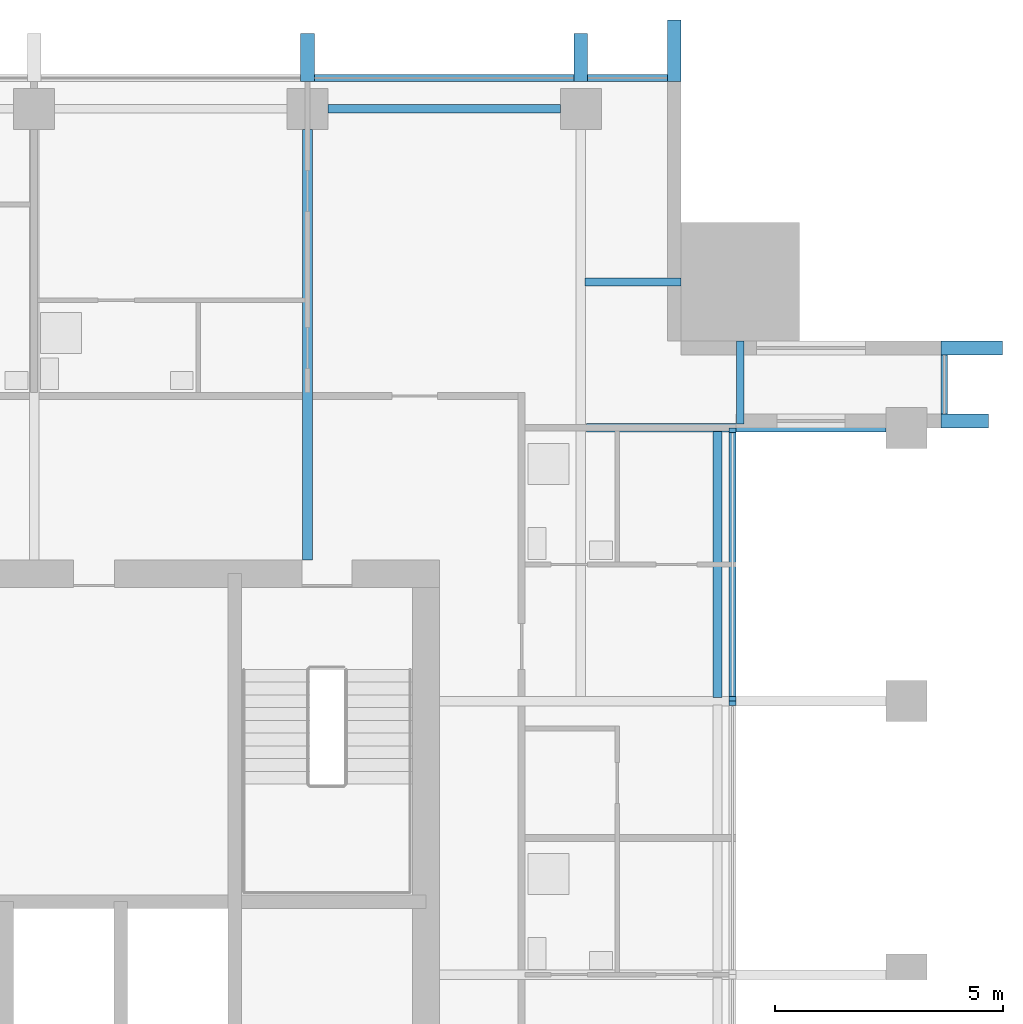
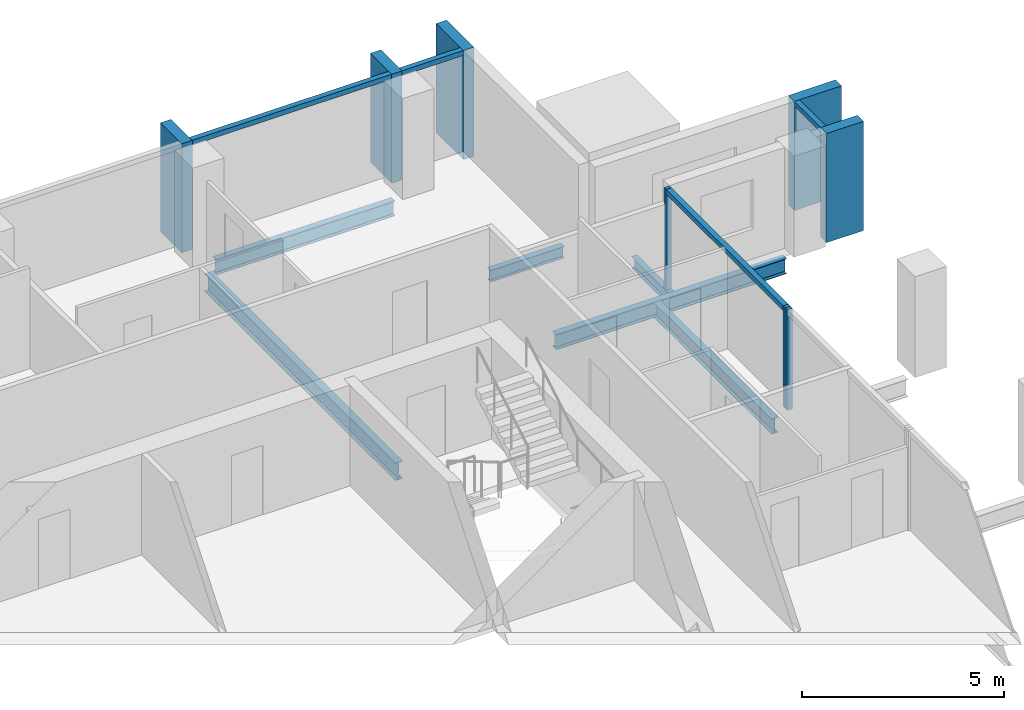
# One storey, part 6 of 14: 12 members, 6 beams, 4 elements without a shape of their own.
"""IFC4 building model written with IfcOpenShell, lengths in metres."""

import ifcopenshell
import ifcopenshell.guid

model = None  # the IFC model being written
_history = None  # IfcOwnerHistory: only IFC2X3 demands one
_inside = {}  # id of a spatial element -> (the spatial element, [elements in it])
_under = {}  # id of a project, library or spatial element -> (it, [spatial elements below it])
_declared = {}  # id of a project -> (the project, [libraries it declares])
_typed = {}  # id of a type object -> (the type object, [elements of that type])
_made_of = {}  # id of a material, layer set ... -> (it, [elements and type objects made of it])


def new_model(schema):
    """Start an empty IFC model of exactly this schema.

    Asked for "IFC4X3", IfcOpenShell would pick the latest addendum, in which some entities
    have other attributes; the version numbers below select the first issue.
    IFC2X3 requires an IfcOwnerHistory on every rooted entity: one is made here for all.
    """
    global model, _history
    if schema == "IFC4X3":
        model = ifcopenshell.file(schema_version=(4, 3, 0, 0))
    else:
        model = ifcopenshell.file(schema=schema)
    _inside.clear()
    _under.clear()
    _declared.clear()
    _typed.clear()
    _made_of.clear()
    _history = None
    if model.schema == "IFC2X3":
        org = make("IfcOrganization", Name="unknown")
        user = make(
            "IfcPersonAndOrganization",
            ThePerson=make("IfcPerson", FamilyName="unknown"),
            TheOrganization=org,
        )
        app = make(
            "IfcApplication",
            ApplicationDeveloper=org,
            Version="unknown",
            ApplicationFullName="unknown",
            ApplicationIdentifier="unknown",
        )
        _history = make(
            "IfcOwnerHistory",
            OwningUser=user,
            OwningApplication=app,
            ChangeAction="ADDED",
            CreationDate=0,
        )
    return model


def make(cls, **values):
    """One entity of the class cls with the attributes given. An attribute that is None is left unset."""
    return model.create_entity(
        cls, **{name: value for name, value in values.items() if value is not None}
    )


def rooted(cls, **values):
    """An entity with a GlobalId (a new one), such as an element, a storey or a relation."""
    return make(cls, GlobalId=ifcopenshell.guid.new(), OwnerHistory=_history, **values)


def si_unit(unit_type, name, prefix=None):
    """IfcSIUnit, for example si_unit("LENGTHUNIT", "METRE", prefix="MILLI")."""
    return make("IfcSIUnit", UnitType=unit_type, Prefix=prefix, Name=name)


def assignment(units):
    """IfcUnitAssignment: the units of a project."""
    return None if units is None else make("IfcUnitAssignment", Units=units)


def point(xyz):
    """IfcCartesianPoint."""
    return None if xyz is None else make("IfcCartesianPoint", Coordinates=xyz)


def direction(xyz):
    """IfcDirection."""
    return None if xyz is None else make("IfcDirection", DirectionRatios=xyz)


def frame(location, z_axis=None, x_axis=None):
    """IfcAxis2Placement3D, a coordinate frame: its origin and axes. An axis left out is left unset."""
    return make(
        "IfcAxis2Placement3D",
        Location=point(location),
        Axis=direction(z_axis),
        RefDirection=direction(x_axis),
    )


def frame_2d(location, x_axis=None):
    """IfcAxis2Placement2D, a coordinate frame in the plane: its origin and x axis."""
    return make(
        "IfcAxis2Placement2D", Location=point(location), RefDirection=direction(x_axis)
    )


def origin():
    """The frame at (0, 0, 0) with its axes left unset."""
    return frame((0.0, 0.0, 0.0))


def origin_2d():
    """The frame at (0, 0) in the plane with its x axis left unset."""
    return frame_2d((0.0, 0.0))


def place(relative_to, where):
    """IfcLocalPlacement: puts the frame where relative to a parent placement (None: the world)."""
    return make(
        "IfcLocalPlacement", PlacementRelTo=relative_to, RelativePlacement=where
    )


def context(
    kind, dimensions, precision=None, world=None, true_north=None, identifier=None
):
    """IfcGeometricRepresentationContext, for example the 3D "Model" context."""
    return make(
        "IfcGeometricRepresentationContext",
        ContextIdentifier=identifier,
        ContextType=kind,
        CoordinateSpaceDimension=dimensions,
        Precision=precision,
        WorldCoordinateSystem=world,
        TrueNorth=true_north,
    )


def subcontext(parent, identifier, kind, view, scale=None):
    """IfcGeometricRepresentationSubContext, for example "Body" below "Model"."""
    return make(
        "IfcGeometricRepresentationSubContext",
        ContextIdentifier=identifier,
        ContextType=kind,
        ParentContext=parent,
        TargetScale=scale,
        TargetView=view,
    )


def project(units=None, contexts=None):
    """IfcProject with its units and contexts."""
    return rooted(
        "IfcProject",
        Name="project",
        RepresentationContexts=contexts,
        UnitsInContext=assignment(units),
    )


def spatial(cls, under=None, at=None, **own):
    """A site, building, storey or space (cls), placed at a placement, below another one or the project."""
    s = rooted(cls, ObjectPlacement=at, **own)
    if under is not None:
        _under.setdefault(under.id(), (under, []))[1].append(s)
    return s


def profile(cls, at=None, kind="AREA", **sizes):
    """A parametric profile (cls). Its sizes go by their IFC names, for example OverallWidth=200.0."""
    return make(cls, ProfileType=kind, Position=at, **sizes)


def rectangle(**sizes):
    """IfcRectangleProfileDef."""
    return profile("IfcRectangleProfileDef", **sizes)


def i_section(**sizes):
    """IfcIShapeProfileDef."""
    return profile("IfcIShapeProfileDef", **sizes)


def extrude(swept, where, along, depth):
    """IfcExtrudedAreaSolid: the profile swept, set in the frame where, extruded along a direction by depth."""
    return make(
        "IfcExtrudedAreaSolid",
        SweptArea=swept,
        Position=where,
        ExtrudedDirection=direction(along),
        Depth=depth,
    )


def shape(context_of_items, identifier, shape_type, items):
    """IfcShapeRepresentation: the items that make up one representation, for example the "Body"."""
    return make(
        "IfcShapeRepresentation",
        ContextOfItems=context_of_items,
        RepresentationIdentifier=identifier,
        RepresentationType=shape_type,
        Items=items,
    )


def material(Name=None, Category=None):
    """IfcMaterial."""
    return make("IfcMaterial", Name=Name, Category=Category)


def material_profile(
    of_material, cross_section, Name=None, Category=None, Priority=None
):
    """IfcMaterialProfile: a cross section and its material."""
    return make(
        "IfcMaterialProfile",
        Name=Name,
        Material=of_material,
        Profile=cross_section,
        Priority=Priority,
        Category=Category,
    )


def profile_set(profiles, Name=None, composite=None):
    """IfcMaterialProfileSet."""
    return make(
        "IfcMaterialProfileSet",
        Name=Name,
        MaterialProfiles=profiles,
        CompositeProfile=composite,
    )


def made_of(thing, what):
    """Note that an element or type object is made of a material, layer set ...; save() writes the relation."""
    if what is not None:
        _made_of.setdefault(what.id(), (what, []))[1].append(thing)
    return thing


def type_object(cls, material=None, **own):
    """A type object (cls), such as IfcWallType, which elements share."""
    return made_of(rooted(cls, **own), material)


def element(
    cls,
    number,
    at=None,
    inside=None,
    cuts=None,
    type_object=None,
    material=None,
    context=None,
    identifier="Body",
    shape_type=None,
    held_by="IfcProductDefinitionShape",
    body=None,
    shapes=None,
    **own,
):
    """One element of the class cls, such as IfcWall. Its Tag is "e" and its number.

    at: its placement. inside: the storey or other place that contains it. cuts: it is an
    opening in that element (IfcRelVoidsElement). A single representation is given by context,
    identifier, shape_type and body (its items); several are given by shapes. held_by: the class
    of the entity that holds the representations. save() writes the other relations.
    """
    e = rooted(cls, Tag="e%d" % number, ObjectPlacement=at, **own)
    if body is not None:
        shapes = [shape(context, identifier, shape_type, body)]
    if shapes is not None:
        e.Representation = make(held_by, Representations=shapes)
    if inside is not None:
        _inside.setdefault(inside.id(), (inside, []))[1].append(e)
    if cuts is not None:
        rooted(
            "IfcRelVoidsElement", RelatingBuildingElement=cuts, RelatedOpeningElement=e
        )
    if type_object is not None:
        _typed.setdefault(type_object.id(), (type_object, []))[1].append(e)
    return made_of(e, material)


def aggregate(whole, parts):
    """IfcRelAggregates: a whole, such as a stair, and the parts it consists of."""
    return rooted("IfcRelAggregates", RelatingObject=whole, RelatedObjects=parts)


def save(model, path):
    """Write the relations noted so far, then the file.

    IfcRelAggregates (storeys below a building ...), IfcRelContainedInSpatialStructure (elements
    in a storey), IfcRelDefinesByType, IfcRelAssociatesMaterial and IfcRelDeclares: one each for
    every whole, place, type object, material and project.
    """
    for whole, parts in _under.values():
        aggregate(whole, parts)
    for where, things in _inside.values():
        rooted(
            "IfcRelContainedInSpatialStructure",
            RelatedElements=things,
            RelatingStructure=where,
        )
    for kind, things in _typed.values():
        rooted("IfcRelDefinesByType", RelatedObjects=things, RelatingType=kind)
    for what, things in _made_of.values():
        rooted("IfcRelAssociatesMaterial", RelatedObjects=things, RelatingMaterial=what)
    for by, libraries in _declared.values():
        rooted("IfcRelDeclares", RelatingContext=by, RelatedDefinitions=libraries)
    model.write(path)


model = new_model("IFC4")

# Units and contexts
model_context = context("Model", 3, precision=1e-05, world=origin(), true_north=direction((0.0, 1.0)))
body_context = subcontext(model_context, "Body", "Model", "MODEL_VIEW")
ifc_project = project(units=[si_unit("LENGTHUNIT", "METRE"), si_unit("AREAUNIT", "SQUARE_METRE"), si_unit("VOLUMEUNIT", "CUBIC_METRE"), si_unit("PLANEANGLEUNIT", "RADIAN"), si_unit("MASSUNIT", "GRAM", prefix="KILO")], contexts=[model_context])

# Site, building, storey
site_placement = place(None, origin())
site = spatial("IfcSite", under=ifc_project, at=site_placement, CompositionType="ELEMENT")
building_placement = place(site_placement, origin())
building = spatial("IfcBuilding", under=site, at=building_placement, Name="Amberfall Residences", CompositionType="ELEMENT")
storey_placement = place(building_placement, frame((0.0, 0.0, 220.0)))
storey = spatial("IfcBuildingStorey", under=building, at=storey_placement, Name="L59", CompositionType="ELEMENT", Elevation=220.0)

# Curtain wall, member
ifc_material_1 = material(Name="Bronze anodised aluminium and glass", Category="aluminium")
curtain_wall_type_1 = type_object("IfcCurtainWallType", Name="Curtain wall CW1 tower unit", PredefinedType="USERDEFINED", material=ifc_material_1)
curtain_wall_1_placement = place(storey_placement, origin())
curtain_wall_1 = element("IfcCurtainWall", 1, at=curtain_wall_1_placement, inside=storey, type_object=curtain_wall_type_1, Name="Curtain wall L59 E E9", ObjectType="UNITISED CURTAIN WALL", PredefinedType="USERDEFINED")
ifc_material_2 = material(Name="Bronze anodised aluminium", Category="aluminium")
ifc_material_profile_1 = material_profile(ifc_material_2, rectangle(XDim=0.14990234375, YDim=0.14990234375, at=origin_2d()), Name="CW1 transom 150 x 150 bronze")
ifc_profile_set_1 = profile_set([ifc_material_profile_1], Name="Bronze anodised aluminium")
member_type_1 = type_object("IfcMemberType", Name="CW1 transom 150 x 150 bronze", PredefinedType="USERDEFINED", material=ifc_profile_set_1)
member_1_placement = place(storey_placement, frame((97.574951171875, 60.699951171875, 2.97509765625), z_axis=(0.0, 1.0, 0.0), x_axis=(-1.0, 0.0, 0.0)))
member_1 = element("IfcMember", 2, at=member_1_placement, type_object=member_type_1, Name="CW1 transom 1.1", ObjectType="TRANSOM", PredefinedType="USERDEFINED", context=body_context, shape_type="SweptSolid", body=[
    extrude(rectangle(XDim=0.14990234375, YDim=0.14990234375, at=origin_2d()), origin(), (0.0, 0.0, 1.0), 1.300048828125),
])

# Curtain wall, members
curtain_wall_2_placement = place(storey_placement, origin())
curtain_wall_2 = element("IfcCurtainWall", 3, at=curtain_wall_2_placement, inside=storey, type_object=curtain_wall_type_1, Name="Curtain wall L59 N N1", ObjectType="UNITISED CURTAIN WALL", PredefinedType="USERDEFINED")
member_2_placement = place(storey_placement, frame((91.5, 68.074951171875, 2.97509765625), z_axis=(-1.0, 0.0, 0.0), x_axis=(0.0, -1.0, 0.0)))
member_2 = element("IfcMember", 4, at=member_2_placement, type_object=member_type_1, Name="CW1 transom 1.1", ObjectType="TRANSOM", PredefinedType="USERDEFINED", context=body_context, shape_type="SweptSolid", body=[
    extrude(rectangle(XDim=0.14990234375, YDim=0.14990234375, at=origin_2d()), origin(), (0.0, 0.0, 1.0), 1.75),
])
member_3_placement = place(storey_placement, frame((89.449951171875, 68.074951171875, 2.97509765625), z_axis=(-1.0, 0.0, 0.0), x_axis=(0.0, -1.0, 0.0)))
member_3 = element("IfcMember", 5, at=member_3_placement, type_object=member_type_1, Name="CW1 transom 2.1", ObjectType="TRANSOM", PredefinedType="USERDEFINED", context=body_context, shape_type="SweptSolid", body=[
    extrude(rectangle(XDim=0.14990234375, YDim=0.14990234375, at=origin_2d()), origin(), (0.0, 0.0, 1.0), 5.699951171875),
])

# Curtain wall, member
curtain_wall_type_2 = type_object("IfcCurtainWallType", Name="Curtain wall CW3 sky garden glazing", PredefinedType="USERDEFINED", material=ifc_material_1)
curtain_wall_3_placement = place(storey_placement, origin())
curtain_wall_3 = element("IfcCurtainWall", 6, at=curtain_wall_3_placement, inside=storey, type_object=curtain_wall_type_2, Name="Curtain wall L59 E E6", ObjectType="UNITISED CURTAIN WALL", PredefinedType="USERDEFINED")
ifc_material_profile_2 = material_profile(ifc_material_2, rectangle(XDim=0.14990234375, YDim=0.10009765625, at=origin_2d()), Name="CW3 mullion 100 x 150 bronze")
ifc_profile_set_2 = profile_set([ifc_material_profile_2], Name="Bronze anodised aluminium")
member_type_2 = type_object("IfcMemberType", Name="CW3 mullion 100 x 150 bronze", PredefinedType="MULLION", material=ifc_profile_set_2)
member_4_placement = place(storey_placement, frame((92.925048828125, 54.35009765625, 0.0), z_axis=(0.0, 0.0, 1.0), x_axis=(-1.0, 0.0, 0.0)))
member_4 = element("IfcMember", 7, at=member_4_placement, type_object=member_type_2, Name="CW3 mullion 2", PredefinedType="MULLION", context=body_context, shape_type="SweptSolid", body=[
    extrude(rectangle(XDim=0.14990234375, YDim=0.10009765625, at=origin_2d()), origin(), (0.0, 0.0, 1.0), 3.050048828125),
])
aggregate(curtain_wall_3, [member_4])

# Curtain wall, members
curtain_wall_4_placement = place(storey_placement, origin())
curtain_wall_4 = element("IfcCurtainWall", 8, at=curtain_wall_4_placement, inside=storey, type_object=curtain_wall_type_2, Name="Curtain wall L59 E E7", ObjectType="UNITISED CURTAIN WALL", PredefinedType="USERDEFINED")
member_5_placement = place(storey_placement, frame((92.925048828125, 54.449951171875, 0.0), z_axis=(0.0, 0.0, 1.0), x_axis=(-1.0, 0.0, 0.0)))
member_5 = element("IfcMember", 9, at=member_5_placement, type_object=member_type_2, Name="CW3 mullion 1", PredefinedType="MULLION", context=body_context, shape_type="SweptSolid", body=[
    extrude(rectangle(XDim=0.14990234375, YDim=0.10009765625, at=origin_2d()), origin(), (0.0, 0.0, 1.0), 3.050048828125),
])
member_6_placement = place(storey_placement, frame((92.925048828125, 60.35009765625, 0.0), z_axis=(0.0, 0.0, 1.0), x_axis=(-1.0, 0.0, 0.0)))
member_6 = element("IfcMember", 10, at=member_6_placement, type_object=member_type_2, Name="CW3 mullion 2", PredefinedType="MULLION", context=body_context, shape_type="SweptSolid", body=[
    extrude(rectangle(XDim=0.14990234375, YDim=0.10009765625, at=origin_2d()), origin(), (0.0, 0.0, 1.0), 3.050048828125),
])
ifc_material_profile_3 = material_profile(ifc_material_2, rectangle(XDim=0.14990234375, YDim=0.14990234375, at=origin_2d()), Name="CW3 transom 150 x 150 bronze")
ifc_profile_set_3 = profile_set([ifc_material_profile_3], Name="Bronze anodised aluminium")
member_type_3 = type_object("IfcMemberType", Name="CW3 transom 150 x 150 bronze", PredefinedType="USERDEFINED", material=ifc_profile_set_3)
member_7_placement = place(storey_placement, frame((92.925048828125, 54.5, 2.97509765625), z_axis=(0.0, 1.0, 0.0), x_axis=(-1.0, 0.0, 0.0)))
member_7 = element("IfcMember", 11, at=member_7_placement, type_object=member_type_3, Name="CW3 transom 1.1", ObjectType="TRANSOM", PredefinedType="USERDEFINED", context=body_context, shape_type="SweptSolid", body=[
    extrude(rectangle(XDim=0.14990234375, YDim=0.14990234375, at=origin_2d()), origin(), (0.0, 0.0, 1.0), 5.800048828125),
])
aggregate(curtain_wall_4, [member_5, member_6, member_7])

# Member
ifc_material_profile_4 = material_profile(ifc_material_2, rectangle(XDim=1.35009765625, YDim=0.300048828125, at=origin_2d()), Name="Corner fin 300 x 1350 bronze")
ifc_profile_set_4 = profile_set([ifc_material_profile_4], Name="Bronze anodised aluminium")
member_type_4 = type_object("IfcMemberType", Name="Corner fin 300 x 1350 bronze", PredefinedType="MULLION", material=ifc_profile_set_4)
member_8_placement = place(storey_placement, frame((98.175048828125, 62.14990234375, -0.25), z_axis=(0.0, 0.0, 1.0), x_axis=(-1.0, 0.0, 0.0)))
member_8 = element("IfcMember", 12, at=member_8_placement, type_object=member_type_4, Name="CW FIN 2", PredefinedType="MULLION", context=body_context, shape_type="SweptSolid", body=[
    extrude(rectangle(XDim=1.35009765625, YDim=0.300048828125, at=origin_2d()), origin(), (0.0, 0.0, 1.0), 3.300048828125),
])

member_9_placement = place(storey_placement, frame((91.64990234375, 68.675048828125, -0.25), z_axis=(0.0, 0.0, 1.0), x_axis=(0.0, -1.0, 0.0)))
member_9 = element("IfcMember", 13, at=member_9_placement, type_object=member_type_4, Name="CW FIN 1", PredefinedType="MULLION", context=body_context, shape_type="SweptSolid", body=[
    extrude(rectangle(XDim=1.35009765625, YDim=0.300048828125, at=origin_2d()), origin(), (0.0, 0.0, 1.0), 3.300048828125),
])

# Beams
ifc_material_3 = material(Name="Steel S355", Category="steel")
ifc_material_profile_5 = material_profile(ifc_material_3, i_section(OverallWidth=0.18994140625, OverallDepth=0.453369140625, WebThickness=0.008544921875, FlangeThickness=0.0126953125, FilletRadius=0.01025390625, at=origin_2d()), Name="UB 457x191x67")
ifc_profile_set_5 = profile_set([ifc_material_profile_5], Name="Steel S355")
beam_type_1 = type_object("IfcBeamType", Name="Edge beam UB 457x191x67", PredefinedType="SPANDREL", material=ifc_profile_set_5)
beam_1_placement = place(storey_placement, frame((92.60009765625, 54.47998046875, -0.476806640625), z_axis=(0.0, 1.0, 0.0), x_axis=(-1.0, 0.0, 0.0)))
element("IfcBeam", 14, at=beam_1_placement, inside=storey, type_object=beam_type_1, Name="Edge beam B1 L59 16", PredefinedType="SPANDREL", context=body_context, shape_type="SweptSolid", body=[
    extrude(i_section(OverallWidth=0.18994140625, OverallDepth=0.453369140625, WebThickness=0.008544921875, FlangeThickness=0.0126953125, FilletRadius=0.01025390625, at=origin_2d()), origin(), (0.0, 0.0, 1.0), 5.840087890625),
])
beam_2_placement = place(storey_placement, frame((84.050048828125, 67.39990234375, -0.476806640625), z_axis=(1.0, 0.0, 0.0), x_axis=(0.0, 1.0, 0.0)))
element("IfcBeam", 15, at=beam_2_placement, inside=storey, type_object=beam_type_1, Name="Edge beam B1 L59 27", PredefinedType="SPANDREL", context=body_context, shape_type="SweptSolid", body=[
    extrude(i_section(OverallWidth=0.18994140625, OverallDepth=0.453369140625, WebThickness=0.008544921875, FlangeThickness=0.0126953125, FilletRadius=0.01025390625, at=origin_2d()), origin(), (0.0, 0.0, 1.0), 5.099853515625),
])

# Member
ifc_material_profile_6 = material_profile(ifc_material_2, rectangle(XDim=1.050048828125, YDim=0.300048828125, at=origin_2d()), Name="Fin 300 x 1050 bronze")
ifc_profile_set_6 = profile_set([ifc_material_profile_6], Name="Bronze anodised aluminium")
member_type_5 = type_object("IfcMemberType", Name="Fin 300 x 1050 bronze", PredefinedType="MULLION", material=ifc_profile_set_6)
member_10_placement = place(storey_placement, frame((98.02490234375, 60.550048828125, -0.25), z_axis=(0.0, 0.0, 1.0), x_axis=(-1.0, 0.0, 0.0)))
member_10 = element("IfcMember", 16, at=member_10_placement, type_object=member_type_5, Name="CW FIN 1", PredefinedType="MULLION", context=body_context, shape_type="SweptSolid", body=[
    extrude(rectangle(XDim=1.050048828125, YDim=0.300048828125, at=origin_2d()), origin(), (0.0, 0.0, 1.0), 3.300048828125),
])

aggregate(curtain_wall_1, [member_10, member_8, member_1])

member_11_placement = place(storey_placement, frame((89.60009765625, 68.52490234375, -0.25), z_axis=(0.0, 0.0, 1.0), x_axis=(0.0, -1.0, 0.0)))
member_11 = element("IfcMember", 17, at=member_11_placement, type_object=member_type_5, Name="CW FIN 2", PredefinedType="MULLION", context=body_context, shape_type="SweptSolid", body=[
    extrude(rectangle(XDim=1.050048828125, YDim=0.300048828125, at=origin_2d()), origin(), (0.0, 0.0, 1.0), 3.300048828125),
])

member_12_placement = place(storey_placement, frame((83.60009765625, 68.52490234375, -0.25), z_axis=(0.0, 0.0, 1.0), x_axis=(0.0, -1.0, 0.0)))
member_12 = element("IfcMember", 18, at=member_12_placement, type_object=member_type_5, Name="CW FIN 3", PredefinedType="MULLION", context=body_context, shape_type="SweptSolid", body=[
    extrude(rectangle(XDim=1.050048828125, YDim=0.300048828125, at=origin_2d()), origin(), (0.0, 0.0, 1.0), 3.300048828125),
])

aggregate(curtain_wall_2, [member_9, member_11, member_12, member_2, member_3])

# Beams
ifc_material_profile_7 = material_profile(ifc_material_3, i_section(OverallWidth=0.19140625, OverallDepth=0.4599609375, WebThickness=0.010009765625, FlangeThickness=0.01611328125, FilletRadius=0.01025390625, at=origin_2d()), Name="UB 457x191x82")
ifc_profile_set_7 = profile_set([ifc_material_profile_7], Name="Steel S355")
beam_type_2 = type_object("IfcBeamType", Name="Floor girder UB 457x191x82", PredefinedType="BEAM", material=ifc_profile_set_7)
beam_3_placement = place(storey_placement, frame((96.300048828125, 60.39990234375, -0.47998046875), z_axis=(-1.0, 0.0, 0.0), x_axis=(0.0, -1.0, 0.0)))
element("IfcBeam", 19, at=beam_3_placement, inside=storey, type_object=beam_type_2, Name="Floor girder B10 L59 22", PredefinedType="BEAM", context=body_context, shape_type="SweptSolid", body=[
    extrude(i_section(OverallWidth=0.19140625, OverallDepth=0.4599609375, WebThickness=0.010009765625, FlangeThickness=0.01611328125, FilletRadius=0.01025390625, at=origin_2d()), origin(), (0.0, 0.0, 1.0), 6.580078125),
])
ifc_material_profile_8 = material_profile(ifc_material_3, i_section(OverallWidth=0.209228515625, OverallDepth=0.533203125, WebThickness=0.010009765625, FlangeThickness=0.015625, FilletRadius=0.0126953125, at=origin_2d()), Name="UB 533x210x92")
ifc_profile_set_8 = profile_set([ifc_material_profile_8], Name="Steel S355")
beam_type_3 = type_object("IfcBeamType", Name="Floor girder UB 533x210x92", PredefinedType="BEAM", material=ifc_profile_set_8)
beam_4_placement = place(storey_placement, frame((83.60009765625, 66.949951171875, -0.5166015625), z_axis=(0.0, -1.0, 0.0), x_axis=(1.0, 0.0, 0.0)))
element("IfcBeam", 20, at=beam_4_placement, inside=storey, type_object=beam_type_3, Name="Floor girder B3 L59 32", PredefinedType="BEAM", context=body_context, shape_type="SweptSolid", body=[
    extrude(i_section(OverallWidth=0.209228515625, OverallDepth=0.533203125, WebThickness=0.010009765625, FlangeThickness=0.015625, FilletRadius=0.0126953125, at=origin_2d()), origin(), (0.0, 0.0, 1.0), 9.449951171875),
])
ifc_material_profile_9 = material_profile(ifc_material_3, i_section(OverallWidth=0.171142578125, OverallDepth=0.351318359375, WebThickness=0.007080078125, FlangeThickness=0.009765625, FilletRadius=0.01025390625, at=origin_2d()), Name="UB 356x171x45")
ifc_profile_set_9 = profile_set([ifc_material_profile_9], Name="Steel S355")
beam_type_4 = type_object("IfcBeamType", Name="Link beam UB 356x171x45", PredefinedType="BEAM", material=ifc_profile_set_9)
beam_5_placement = place(storey_placement, frame((91.800048828125, 63.60009765625, -0.42578125), z_axis=(-1.0, 0.0, 0.0), x_axis=(0.0, -1.0, 0.0)))
element("IfcBeam", 21, at=beam_5_placement, inside=storey, type_object=beam_type_4, Name="Link beam B7 L59 49", PredefinedType="BEAM", context=body_context, shape_type="SweptSolid", body=[
    extrude(i_section(OverallWidth=0.171142578125, OverallDepth=0.351318359375, WebThickness=0.007080078125, FlangeThickness=0.009765625, FilletRadius=0.01025390625, at=origin_2d()), origin(), (0.0, 0.0, 1.0), 2.104736328125),
])
beam_6_placement = place(storey_placement, frame((93.10009765625, 62.300048828125, -0.42578125), z_axis=(0.0, -1.0, 0.0), x_axis=(1.0, 0.0, 0.0)))
element("IfcBeam", 22, at=beam_6_placement, inside=storey, type_object=beam_type_4, Name="Link beam B7 L59 50", PredefinedType="BEAM", context=body_context, shape_type="SweptSolid", body=[
    extrude(i_section(OverallWidth=0.171142578125, OverallDepth=0.351318359375, WebThickness=0.007080078125, FlangeThickness=0.009765625, FilletRadius=0.01025390625, at=origin_2d()), origin(), (0.0, 0.0, 1.0), 1.814453125),
])

save(model, "model.ifc")
